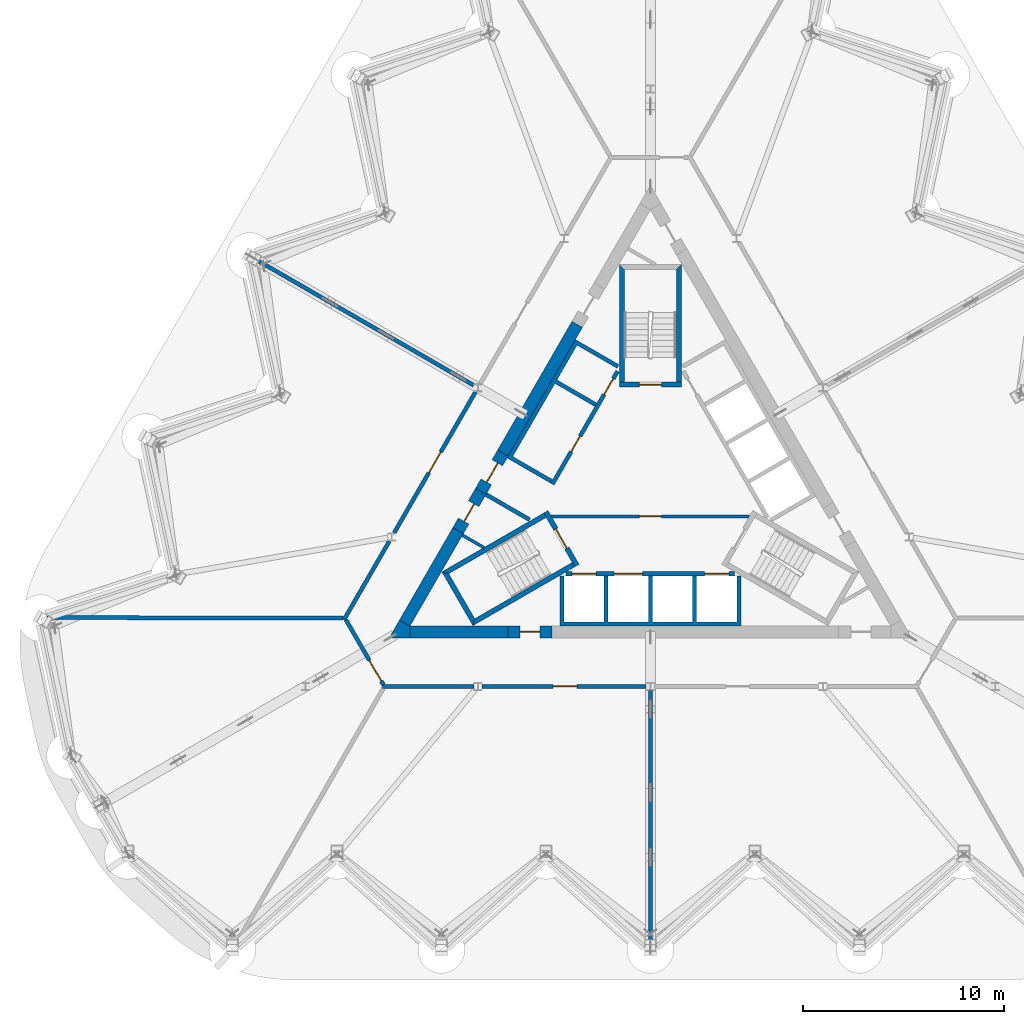
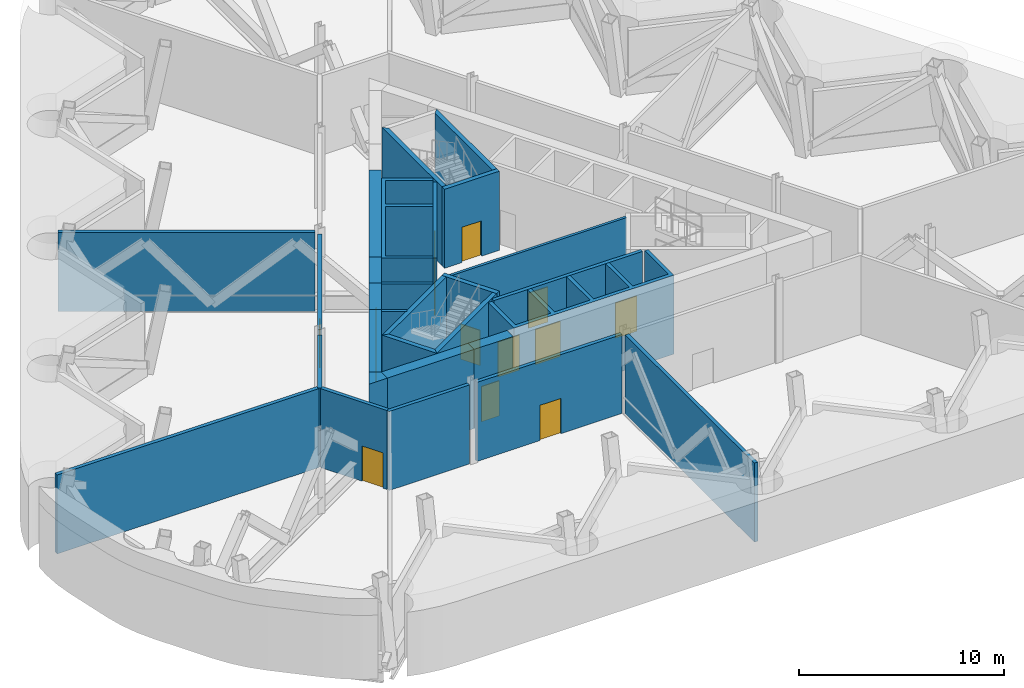
# One storey, part 7 of 16: 29 walls, 14 doors, 14 openings.
"""IFC4 building model written with IfcOpenShell, lengths in metres."""

from ifc_helpers import new_model, si_unit, direction, frame, frame_2d, origin, place, context, subcontext, project, spatial, polyline, rectangle, outline, extrude, material, layer, layer_set, type_object, element, fill, save


model = new_model("IFC4")

# Units and contexts
model_context = context("Model", 3, precision=1e-05, world=origin(), true_north=direction((0.0, 1.0)))
body_context = subcontext(model_context, "Body", "Model", "MODEL_VIEW")
ifc_project = project(units=[si_unit("LENGTHUNIT", "METRE"), si_unit("AREAUNIT", "SQUARE_METRE"), si_unit("VOLUMEUNIT", "CUBIC_METRE"), si_unit("PLANEANGLEUNIT", "RADIAN"), si_unit("MASSUNIT", "GRAM", prefix="KILO")], contexts=[model_context])

# Site, building, storey
site_placement = place(None, origin())
site = spatial("IfcSite", under=ifc_project, at=site_placement, CompositionType="ELEMENT")
building_placement = place(site_placement, origin())
building = spatial("IfcBuilding", under=site, at=building_placement, Name="Cormorant Prow Tower", CompositionType="ELEMENT")
storey_placement = place(building_placement, frame((0.0, 0.0, 356.0)))
storey = spatial("IfcBuildingStorey", under=building, at=storey_placement, Name="L79", CompositionType="ELEMENT", Elevation=356.0)

# Wall, opening, door
ifc_material_1 = material(Name="Gypsum board partition")
ifc_layer_1 = layer(ifc_material_1, 0.14990234375)
ifc_layer_set_1 = layer_set([ifc_layer_1], Name="Gypsum board partition")
wall_type_1 = type_object("IfcWallType", Name="Core partition 150", PredefinedType="PARTITIONING", material=ifc_layer_set_1)
wall_1_placement = place(storey_placement, frame((-4.941162109375, -1.449951171875, 0.0), z_axis=(0.0, 0.0, 1.0), x_axis=(1.0, 0.0, 0.0)))
wall_1 = element("IfcWall", 1, at=wall_1_placement, inside=storey, type_object=wall_type_1, Name="Firefighting lobby partition", PredefinedType="PARTITIONING", context=body_context, shape_type="SweptSolid", body=[
    extrude(rectangle(XDim=9.88232421875, YDim=0.14990234375, at=frame_2d((4.941162109375, 0.0))), origin(), (0.0, 0.0, 1.0), 4.699951171875),
])
opening_1_placement = place(wall_1_placement, frame((4.39111328125, 0.0, 0.0)))
opening_1 = element("IfcOpeningElement", 2, at=opening_1_placement, cuts=wall_1, Name="Opening L79-C07", PredefinedType="OPENING", context=body_context, shape_type="SweptSolid", body=[
    extrude(rectangle(XDim=1.10009765625, YDim=2.10009765625, at=frame_2d((0.550048828125, 1.050048828125))), frame((0.0, 0.0849609375, 0.0), z_axis=(0.0, -1.0, 0.0), x_axis=(1.0, 0.0, 0.0)), (0.0, 0.0, 1.0), 0.169921875),
])
ifc_material_2 = material(Name="Painted steel", Category="steel")
door_type_1 = type_object("IfcDoorType", Name="Firefighting lobby door 1100x2100", OperationType="NOTDEFINED", PredefinedType="DOOR", material=ifc_material_2)
door_1_placement = place(opening_1_placement, origin())
door_1 = element("IfcDoor", 3, at=door_1_placement, inside=storey, type_object=door_type_1, Name="Firefighting lobby door", OperationType="SINGLE_SWING_LEFT", OverallHeight=2.10009765625, OverallWidth=1.10009765625, PredefinedType="DOOR", context=body_context, shape_type="SweptSolid", body=[
    extrude(rectangle(XDim=1.10009765625, YDim=2.10009765625, at=frame_2d((0.550048828125, 1.050048828125))), frame((0.0, 0.02490234375, 0.0), z_axis=(0.0, -1.0, 0.0), x_axis=(1.0, 0.0, 0.0)), (0.0, 0.0, 1.0), 0.050048828125),
])
fill(opening_1, door_1)

# Walls
wall_2_placement = place(storey_placement, frame((-9.349609375, -2.3828125, 0.0), z_axis=(0.0, 0.0, 1.0), x_axis=(0.866057962423, -0.499943602543, 0.0)))
element("IfcWall", 4, at=wall_2_placement, inside=storey, type_object=wall_type_1, Name="Service room partition", PredefinedType="PARTITIONING", context=body_context, shape_type="SweptSolid", body=[
    extrude(rectangle(XDim=1.242431640625, YDim=0.14990234375, at=frame_2d((0.62109375, 0.0))), origin(), (0.0, 0.0, 1.0), 4.699951171875),
])
ifc_material_3 = material(Name="Concrete 8000 psi", Category="concrete")
ifc_layer_2 = layer(ifc_material_3, 0.60009765625)
ifc_layer_set_2 = layer_set([ifc_layer_2], Name="Concrete 8000 psi")
wall_type_2 = type_object("IfcWallType", Name="Core shear wall 600", PredefinedType="SHEAR", material=ifc_layer_set_2)
wall_3_placement = place(storey_placement, frame((-11.960693359375, -7.20556640625, 0.0), z_axis=(0.0, 0.0, 1.0), x_axis=(1.0, 0.0, 0.0)))
element("IfcWall", 5, at=wall_3_placement, inside=storey, type_object=wall_type_2, Name="Core wall", PredefinedType="SHEAR", context=body_context, shape_type="SweptSolid", body=[
    extrude(rectangle(XDim=4.868408203125, YDim=0.60009765625, at=frame_2d((2.43408203125, 0.0))), origin(), (0.0, 0.0, 1.0), 4.699951171875),
])
wall_4_placement = place(storey_placement, frame((-3.639404296875, 8.107421875, 0.0), z_axis=(0.0, 0.0, 1.0), x_axis=(-0.49999180351, -0.866030135978, 0.0)))
element("IfcWall", 6, at=wall_4_placement, inside=storey, type_object=wall_type_2, Name="Core wall", PredefinedType="SHEAR", context=body_context, shape_type="SweptSolid", body=[
    extrude(rectangle(XDim=7.4013671875, YDim=0.60009765625, at=frame_2d((3.70068359375, 0.0))), origin(), (0.0, 0.0, 1.0), 4.699951171875),
])
wall_5_placement = place(storey_placement, frame((-9.561767578125, -2.150390625, 0.0), z_axis=(0.0, 0.0, 1.0), x_axis=(-0.500015214976, -0.866016619236, 0.0)))
element("IfcWall", 7, at=wall_5_placement, inside=storey, type_object=wall_type_2, Name="Core wall", PredefinedType="SHEAR", context=body_context, shape_type="SweptSolid", body=[
    extrude(rectangle(XDim=5.317626953125, YDim=0.60009765625, at=frame_2d((2.65869140625, 0.0))), origin(), (0.0, 0.0, 1.0), 4.699951171875),
])
wall_6_placement = place(storey_placement, origin())
element("IfcWall", 8, at=wall_6_placement, inside=storey, type_object=wall_type_2, Name="Core wall corner", PredefinedType="SHEAR", context=body_context, shape_type="SweptSolid", body=[
    extrude(outline(polyline([(-12.48046875, -6.605712890625), (-11.960693359375, -6.905517578125), (-11.960693359375, -7.505615234375), (-13.0, -7.505615234375), (-12.48046875, -6.605712890625)])), origin(), (0.0, 0.0, 1.0), 4.699951171875),
])

# Wall, opening, door
wall_7_placement = place(storey_placement, frame((-7.09228515625, -7.20556640625, 0.0), z_axis=(0.0, 0.0, 1.0), x_axis=(1.0, 0.0, 0.0)))
wall_7 = element("IfcWall", 9, at=wall_7_placement, inside=storey, type_object=wall_type_2, Name="Core wall door panel", PredefinedType="SHEAR", context=body_context, shape_type="SweptSolid", body=[
    extrude(rectangle(XDim=2.2001953125, YDim=0.60009765625, at=frame_2d((1.10009765625, 0.0))), origin(), (0.0, 0.0, 1.0), 4.699951171875),
])
opening_2_placement = place(wall_7_placement, frame((0.60009765625, 0.0, 0.0)))
opening_2 = element("IfcOpeningElement", 10, at=opening_2_placement, cuts=wall_7, Name="Opening L79-C12", PredefinedType="OPENING", context=body_context, shape_type="SweptSolid", body=[
    extrude(rectangle(XDim=1.0, YDim=2.10009765625, at=frame_2d((0.5, 1.050048828125))), frame((0.0, 0.31005859375, 0.0), z_axis=(0.0, -1.0, 0.0), x_axis=(1.0, 0.0, 0.0)), (0.0, 0.0, 1.0), 0.6201171875),
])
ifc_material_4 = material(Name="Painted steel", Category="steel")
door_type_2 = type_object("IfcDoorType", Name="Service door 1000x2100", OperationType="NOTDEFINED", PredefinedType="DOOR", material=ifc_material_4)
door_2_placement = place(opening_2_placement, origin())
door_2 = element("IfcDoor", 11, at=door_2_placement, inside=storey, type_object=door_type_2, Name="Core door, Plant staff store", OperationType="SINGLE_SWING_LEFT", OverallHeight=2.10009765625, OverallWidth=1.0, PredefinedType="DOOR", context=body_context, shape_type="SweptSolid", body=[
    extrude(rectangle(XDim=1.0, YDim=2.10009765625, at=frame_2d((0.5, 1.050048828125))), frame((0.0, 0.05517578125, 0.0), z_axis=(0.0, -1.0, 0.0), x_axis=(1.0, 0.0, 0.0)), (0.0, 0.0, 1.0), 0.050048828125),
])
fill(opening_2, door_2)

wall_8_placement = place(storey_placement, frame((-8.440185546875, -0.207763671875, 0.0), z_axis=(0.0, 0.0, 1.0), x_axis=(-0.500001951578, -0.866024277037, 0.0)))
wall_8 = element("IfcWall", 12, at=wall_8_placement, inside=storey, type_object=wall_type_2, Name="Core wall door panel", PredefinedType="SHEAR", context=body_context, shape_type="SweptSolid", body=[
    extrude(rectangle(XDim=2.2431640625, YDim=0.60009765625, at=frame_2d((1.12158203125, 0.0))), origin(), (0.0, 0.0, 1.0), 4.699951171875),
])
opening_3_placement = place(wall_8_placement, frame((0.699951171875, 0.0, 0.0)))
opening_3 = element("IfcOpeningElement", 13, at=opening_3_placement, cuts=wall_8, Name="Opening L79-C14", PredefinedType="OPENING", context=body_context, shape_type="SweptSolid", body=[
    extrude(rectangle(XDim=1.0, YDim=2.10009765625, at=frame_2d((0.5, 1.050048828125))), frame((0.0, 0.31005859375, 0.0), z_axis=(0.0, -1.0, 0.0), x_axis=(1.0, 0.0, 0.0)), (0.0, 0.0, 1.0), 0.6201171875),
])
door_3_placement = place(opening_3_placement, origin())
door_3 = element("IfcDoor", 14, at=door_3_placement, inside=storey, type_object=door_type_2, Name="Core door, Mechanical riser room", OperationType="SINGLE_SWING_RIGHT", OverallHeight=2.10009765625, OverallWidth=1.0, PredefinedType="DOOR", context=body_context, shape_type="SweptSolid", body=[
    extrude(rectangle(XDim=1.0, YDim=2.10009765625, at=frame_2d((0.5, 1.050048828125))), frame((0.0, 0.05517578125, 0.0), z_axis=(0.0, -1.0, 0.0), x_axis=(1.0, 0.0, 0.0)), (0.0, 0.0, 1.0), 0.050048828125),
])
fill(opening_3, door_3)

wall_9_placement = place(storey_placement, frame((-7.340087890625, 1.697509765625, 0.0), z_axis=(0.0, 0.0, 1.0), x_axis=(-0.50002983664, -0.866008176907, 0.0)))
wall_9 = element("IfcWall", 15, at=wall_9_placement, inside=storey, type_object=wall_type_2, Name="Core wall door panel", PredefinedType="SHEAR", context=body_context, shape_type="SweptSolid", body=[
    extrude(rectangle(XDim=2.199951171875, YDim=0.60009765625, at=frame_2d((1.10009765625, 0.0))), origin(), (0.0, 0.0, 1.0), 4.699951171875),
])
opening_4_placement = place(wall_9_placement, frame((0.550048828125, 0.0, 0.0)))
opening_4 = element("IfcOpeningElement", 16, at=opening_4_placement, cuts=wall_9, Name="Opening L79-C17", PredefinedType="OPENING", context=body_context, shape_type="SweptSolid", body=[
    extrude(rectangle(XDim=1.10009765625, YDim=2.10009765625, at=frame_2d((0.550048828125, 1.050048828125))), frame((0.0, 0.31005859375, 0.0), z_axis=(0.0, -1.0, 0.0), x_axis=(1.0, 0.0, 0.0)), (0.0, 0.0, 1.0), 0.6201171875),
])
ifc_material_5 = material(Name="Painted steel", Category="steel")
door_type_3 = type_object("IfcDoorType", Name="Core door 1100x2100", OperationType="NOTDEFINED", PredefinedType="DOOR", material=ifc_material_5)
door_4_placement = place(opening_4_placement, origin())
door_4 = element("IfcDoor", 17, at=door_4_placement, inside=storey, type_object=door_type_3, Name="Core door, lift lobby", OperationType="SINGLE_SWING_RIGHT", OverallHeight=2.10009765625, OverallWidth=1.10009765625, PredefinedType="DOOR", context=body_context, shape_type="SweptSolid", body=[
    extrude(rectangle(XDim=1.10009765625, YDim=2.10009765625, at=frame_2d((0.550048828125, 1.050048828125))), frame((0.0, 0.05517578125, 0.0), z_axis=(0.0, -1.0, 0.0), x_axis=(1.0, 0.0, 0.0)), (0.0, 0.0, 1.0), 0.050048828125),
])
fill(opening_4, door_4)

ifc_material_6 = material(Name="Gypsum board corridor wall")
ifc_layer_3 = layer(ifc_material_6, 0.199951171875)
ifc_layer_set_3 = layer_set([ifc_layer_3], Name="Gypsum board corridor wall")
wall_type_3 = type_object("IfcWallType", Name="Corridor wall 200", PredefinedType="PARTITIONING", material=ifc_layer_set_3)
wall_10_placement = place(storey_placement, frame((-8.370849609375, -9.905517578125, 0.0), z_axis=(0.0, 0.0, 1.0), x_axis=(1.0, 0.0, 0.0)))
wall_10 = element("IfcWall", 18, at=wall_10_placement, inside=storey, type_object=wall_type_3, Name="Corridor wall", PredefinedType="PARTITIONING", context=body_context, shape_type="SweptSolid", body=[
    extrude(rectangle(XDim=8.1630859375, YDim=0.199951171875, at=frame_2d((4.08154296875, 0.0))), origin(), (0.0, 0.0, 1.0), 4.699951171875),
])
opening_5_placement = place(wall_10_placement, frame((3.531982421875, 0.0, 0.0)))
opening_5 = element("IfcOpeningElement", 19, at=opening_5_placement, cuts=wall_10, Name="Opening L79-F03", PredefinedType="OPENING", context=body_context, shape_type="SweptSolid", body=[
    extrude(rectangle(XDim=1.199951171875, YDim=2.10009765625, at=frame_2d((0.60009765625, 1.050048828125))), frame((0.0, 0.10986328125, 0.0), z_axis=(0.0, -1.0, 0.0), x_axis=(1.0, 0.0, 0.0)), (0.0, 0.0, 1.0), 0.219970703125),
])
ifc_material_7 = material(Name="Timber door leaf", Category="wood")
door_type_4 = type_object("IfcDoorType", Name="Plant room door 1200x2100", OperationType="NOTDEFINED", PredefinedType="DOOR", material=ifc_material_7)
door_5_placement = place(opening_5_placement, origin())
door_5 = element("IfcDoor", 20, at=door_5_placement, inside=storey, type_object=door_type_4, Name="Chiller plant room door", OperationType="SINGLE_SWING_RIGHT", OverallHeight=2.10009765625, OverallWidth=1.199951171875, PredefinedType="DOOR", context=body_context, shape_type="SweptSolid", body=[
    extrude(rectangle(XDim=1.199951171875, YDim=2.10009765625, at=frame_2d((0.60009765625, 1.050048828125))), frame((0.0, 0.02490234375, 0.0), z_axis=(0.0, -1.0, 0.0), x_axis=(1.0, 0.0, 0.0)), (0.0, 0.0, 1.0), 0.050048828125),
])
fill(opening_5, door_5)

wall_11_placement = place(storey_placement, frame((-12.747802734375, -2.268798828125, 0.0), z_axis=(0.0, 0.0, 1.0), x_axis=(0.499984266882, 0.866034487114, 0.0)))
wall_11 = element("IfcWall", 21, at=wall_11_placement, inside=storey, type_object=wall_type_3, Name="Corridor wall", PredefinedType="PARTITIONING", context=body_context, shape_type="SweptSolid", body=[
    extrude(rectangle(XDim=8.098876953125, YDim=0.199951171875, at=frame_2d((4.04931640625, 0.0))), origin(), (0.0, 0.0, 1.0), 4.699951171875),
])
opening_6_placement = place(wall_11_placement, frame((3.449462890625, 0.0, 0.0)))
opening_6 = element("IfcOpeningElement", 22, at=opening_6_placement, cuts=wall_11, Name="Opening L79-F05", PredefinedType="OPENING", context=body_context, shape_type="SweptSolid", body=[
    extrude(rectangle(XDim=1.199951171875, YDim=2.10009765625, at=frame_2d((0.60009765625, 1.050048828125))), frame((0.0, 0.10986328125, 0.0), z_axis=(0.0, -1.0, 0.0), x_axis=(1.0, 0.0, 0.0)), (0.0, 0.0, 1.0), 0.219970703125),
])
door_6_placement = place(opening_6_placement, origin())
door_6 = element("IfcDoor", 23, at=door_6_placement, inside=storey, type_object=door_type_4, Name="Electrical switch room door", OperationType="SINGLE_SWING_LEFT", OverallHeight=2.10009765625, OverallWidth=1.199951171875, PredefinedType="DOOR", context=body_context, shape_type="SweptSolid", body=[
    extrude(rectangle(XDim=1.199951171875, YDim=2.10009765625, at=frame_2d((0.60009765625, 1.050048828125))), frame((0.0, 0.02490234375, 0.0), z_axis=(0.0, -1.0, 0.0), x_axis=(1.0, 0.0, 0.0)), (0.0, 0.0, 1.0), 0.050048828125),
])
fill(opening_6, door_6)

# Walls
wall_12_placement = place(storey_placement, frame((-13.330810546875, -9.905517578125, 0.0), z_axis=(0.0, 0.0, 1.0), x_axis=(1.0, 0.0, 0.0)))
element("IfcWall", 24, at=wall_12_placement, inside=storey, type_object=wall_type_3, Name="Corridor wall", PredefinedType="PARTITIONING", context=body_context, shape_type="SweptSolid", body=[
    extrude(rectangle(XDim=4.544677734375, YDim=0.199951171875, at=frame_2d((2.2724609375, 0.0))), origin(), (0.0, 0.0, 1.0), 4.699951171875),
])
wall_13_placement = place(storey_placement, frame((-15.243896484375, -6.59228515625, 0.0), z_axis=(0.0, 0.0, 1.0), x_axis=(0.49999094734, 0.866030630277, 0.0)))
element("IfcWall", 25, at=wall_13_placement, inside=storey, type_object=wall_type_3, Name="Corridor wall", PredefinedType="PARTITIONING", context=body_context, shape_type="SweptSolid", body=[
    extrude(rectangle(XDim=4.5126953125, YDim=0.199951171875, at=frame_2d((2.25634765625, 0.0))), origin(), (0.0, 0.0, 1.0), 4.699951171875),
])

# Wall, opening, door
wall_14_placement = place(storey_placement, frame((-15.143798828125, -6.59228515625, 0.0), z_axis=(0.0, 0.0, 1.0), x_axis=(0.499958791762, -0.866049194065, 0.0)))
wall_14 = element("IfcWall", 26, at=wall_14_placement, inside=storey, type_object=wall_type_3, Name="Corridor wall", PredefinedType="PARTITIONING", context=body_context, shape_type="SweptSolid", body=[
    extrude(rectangle(XDim=3.725830078125, YDim=0.199951171875, at=frame_2d((1.86279296875, 0.0))), origin(), (0.0, 0.0, 1.0), 4.699951171875),
])
opening_7_placement = place(wall_14_placement, frame((2.324951171875, 0.0, 0.0)))
opening_7 = element("IfcOpeningElement", 27, at=opening_7_placement, cuts=wall_14, Name="Opening L79-F01", PredefinedType="OPENING", context=body_context, shape_type="SweptSolid", body=[
    extrude(rectangle(XDim=1.199951171875, YDim=2.10009765625, at=frame_2d((0.60009765625, 1.050048828125))), frame((0.0, 0.10986328125, 0.0), z_axis=(0.0, -1.0, 0.0), x_axis=(1.0, 0.0, 0.0)), (0.0, 0.0, 1.0), 0.219970703125),
])
door_7_placement = place(opening_7_placement, origin())
door_7 = element("IfcDoor", 28, at=door_7_placement, inside=storey, type_object=door_type_4, Name="Sprinkler pump room door", OperationType="SINGLE_SWING_RIGHT", OverallHeight=2.10009765625, OverallWidth=1.199951171875, PredefinedType="DOOR", context=body_context, shape_type="SweptSolid", body=[
    extrude(rectangle(XDim=1.199951171875, YDim=2.10009765625, at=frame_2d((0.60009765625, 1.050048828125))), frame((0.0, 0.02490234375, 0.0), z_axis=(0.0, -1.0, 0.0), x_axis=(1.0, 0.0, 0.0)), (0.0, 0.0, 1.0), 0.050048828125),
])
fill(opening_7, door_7)

# Walls
ifc_material_8 = material(Name="Gypsum board demising wall")
ifc_layer_4 = layer(ifc_material_8, 0.199951171875)
ifc_layer_set_4 = layer_set([ifc_layer_4], Name="Gypsum board demising wall")
wall_type_4 = type_object("IfcWallType", Name="Demising wall 200", PredefinedType="PARTITIONING", material=ifc_layer_set_4)
wall_15_placement = place(storey_placement, frame((-30.013671875, -6.481689453125, 0.0), z_axis=(0.0, 0.0, 1.0), x_axis=(0.999998705824, -0.001608834911, 0.0)))
element("IfcWall", 29, at=wall_15_placement, inside=storey, type_object=wall_type_4, Name="Demising wall", PredefinedType="PARTITIONING", context=body_context, shape_type="SweptSolid", body=[
    extrude(rectangle(XDim=14.7197265625, YDim=0.199951171875, at=frame_2d((7.35986328125, 0.0))), origin(), (0.0, 0.0, 1.0), 4.699951171875),
])
wall_16_placement = place(storey_placement, frame((0.0, -22.697998046875, 0.0), z_axis=(0.0, 0.0, 1.0), x_axis=(0.0, 1.0, 0.0)))
element("IfcWall", 30, at=wall_16_placement, inside=storey, type_object=wall_type_4, Name="Demising wall", PredefinedType="PARTITIONING", context=body_context, shape_type="SweptSolid", body=[
    extrude(rectangle(XDim=12.584716796875, YDim=0.199951171875, at=frame_2d((6.29248046875, 0.0))), origin(), (0.0, 0.0, 1.0), 4.699951171875),
])
wall_17_placement = place(storey_placement, frame((-19.615478515625, 11.3251953125, 0.0), z_axis=(0.0, 0.0, 1.0), x_axis=(0.86602139559, -0.500006942333, 0.0)))
element("IfcWall", 31, at=wall_17_placement, inside=storey, type_object=wall_type_4, Name="Demising wall", PredefinedType="PARTITIONING", context=body_context, shape_type="SweptSolid", body=[
    extrude(rectangle(XDim=12.504638671875, YDim=0.199951171875, at=frame_2d((6.25244140625, 0.0))), origin(), (0.0, 0.0, 1.0), 4.699951171875),
])

# Wall, openings, doors
ifc_material_9 = material(Name="Concrete 5000 psi", Category="concrete")
ifc_layer_5 = layer(ifc_material_9, 0.199951171875)
ifc_layer_set_5 = layer_set([ifc_layer_5], Name="Concrete 5000 psi")
wall_type_5 = type_object("IfcWallType", Name="Lift lobby wall 200", PredefinedType="SOLIDWALL", material=ifc_layer_set_5)
wall_18_placement = place(storey_placement, frame((-4.1865234375, -4.300048828125, 0.0), z_axis=(0.0, 0.0, 1.0), x_axis=(1.0, 0.0, 0.0)))
wall_18 = element("IfcWall", 32, at=wall_18_placement, inside=storey, type_object=wall_type_5, Name="Lift lobby wall, S block", PredefinedType="SOLIDWALL", context=body_context, shape_type="SweptSolid", body=[
    extrude(rectangle(XDim=8.373046875, YDim=0.199951171875, at=frame_2d((4.1865234375, 0.0))), origin(), (0.0, 0.0, 1.0), 4.699951171875),
])
opening_8_placement = place(wall_18_placement, frame((0.28662109375, 0.0, 0.0)))
opening_8 = element("IfcOpeningElement", 33, at=opening_8_placement, cuts=wall_18, Name="Opening L79-C01", PredefinedType="OPENING", context=body_context, shape_type="SweptSolid", body=[
    extrude(rectangle(XDim=1.199951171875, YDim=2.10009765625, at=frame_2d((0.60009765625, 1.050048828125))), frame((0.0, 0.10986328125, 0.0), z_axis=(0.0, -1.0, 0.0), x_axis=(1.0, 0.0, 0.0)), (0.0, 0.0, 1.0), 0.219970703125),
])
opening_9_placement = place(wall_18_placement, frame((2.38671875, 0.0, 0.0)))
opening_9 = element("IfcOpeningElement", 34, at=opening_9_placement, cuts=wall_18, Name="Opening L79-C02", PredefinedType="OPENING", context=body_context, shape_type="SweptSolid", body=[
    extrude(rectangle(XDim=1.39990234375, YDim=2.10009765625, at=frame_2d((0.699951171875, 1.050048828125))), frame((0.0, 0.10986328125, 0.0), z_axis=(0.0, -1.0, 0.0), x_axis=(1.0, 0.0, 0.0)), (0.0, 0.0, 1.0), 0.219970703125),
])
opening_10_placement = place(wall_18_placement, frame((6.88671875, 0.0, 0.0)))
opening_10 = element("IfcOpeningElement", 35, at=opening_10_placement, cuts=wall_18, Name="Opening L79-C03", PredefinedType="OPENING", context=body_context, shape_type="SweptSolid", body=[
    extrude(rectangle(XDim=1.199951171875, YDim=2.10009765625, at=frame_2d((0.60009765625, 1.050048828125))), frame((0.0, 0.10986328125, 0.0), z_axis=(0.0, -1.0, 0.0), x_axis=(1.0, 0.0, 0.0)), (0.0, 0.0, 1.0), 0.219970703125),
])
ifc_material_10 = material(Name="Painted steel", Category="steel")
door_type_5 = type_object("IfcDoorType", Name="Firefighting lift landing door 1200x2100", OperationType="SLIDING_TO_LEFT", PredefinedType="DOOR", material=ifc_material_10)
door_8_placement = place(opening_8_placement, origin())
door_8 = element("IfcDoor", 36, at=door_8_placement, inside=storey, type_object=door_type_5, Name="Landing door FL1", OperationType="SLIDING_TO_LEFT", OverallHeight=2.10009765625, OverallWidth=1.199951171875, PredefinedType="DOOR", context=body_context, shape_type="SweptSolid", body=[
    extrude(rectangle(XDim=1.199951171875, YDim=2.10009765625, at=frame_2d((0.60009765625, 1.050048828125))), frame((0.0, 0.02490234375, 0.0), z_axis=(0.0, -1.0, 0.0), x_axis=(1.0, 0.0, 0.0)), (0.0, 0.0, 1.0), 0.050048828125),
])
fill(opening_8, door_8)
door_9_placement = place(opening_10_placement, origin())
door_9 = element("IfcDoor", 37, at=door_9_placement, inside=storey, type_object=door_type_5, Name="Landing door FL2", OperationType="SLIDING_TO_LEFT", OverallHeight=2.10009765625, OverallWidth=1.199951171875, PredefinedType="DOOR", context=body_context, shape_type="SweptSolid", body=[
    extrude(rectangle(XDim=1.199951171875, YDim=2.10009765625, at=frame_2d((0.60009765625, 1.050048828125))), frame((0.0, 0.02490234375, 0.0), z_axis=(0.0, -1.0, 0.0), x_axis=(1.0, 0.0, 0.0)), (0.0, 0.0, 1.0), 0.050048828125),
])
fill(opening_10, door_9)
ifc_material_11 = material(Name="Painted steel", Category="steel")
door_type_6 = type_object("IfcDoorType", Name="Service lift landing door 1400x2100", OperationType="SLIDING_TO_LEFT", PredefinedType="DOOR", material=ifc_material_11)
door_10_placement = place(opening_9_placement, origin())
door_10 = element("IfcDoor", 38, at=door_10_placement, inside=storey, type_object=door_type_6, Name="Landing door SL1", OperationType="SLIDING_TO_LEFT", OverallHeight=2.10009765625, OverallWidth=1.39990234375, PredefinedType="DOOR", context=body_context, shape_type="SweptSolid", body=[
    extrude(rectangle(XDim=1.39990234375, YDim=2.10009765625, at=frame_2d((0.699951171875, 1.050048828125))), frame((0.0, 0.02490234375, 0.0), z_axis=(0.0, -1.0, 0.0), x_axis=(1.0, 0.0, 0.0)), (0.0, 0.0, 1.0), 0.050048828125),
])
fill(opening_9, door_10)

wall_19_placement = place(storey_placement, frame((-1.630615234375, 5.775634765625, 0.0), z_axis=(0.0, 0.0, 1.0), x_axis=(-0.499992876559, -0.866029516466, 0.0)))
wall_19 = element("IfcWall", 39, at=wall_19_placement, inside=storey, type_object=wall_type_5, Name="Lift lobby wall, WNW block", PredefinedType="SOLIDWALL", context=body_context, shape_type="SweptSolid", body=[
    extrude(rectangle(XDim=6.486328125, YDim=0.199951171875, at=frame_2d((3.2431640625, 0.0))), origin(), (0.0, 0.0, 1.0), 4.699951171875),
])
opening_11_placement = place(wall_19_placement, frame((0.4365234375, 0.0, 0.0)))
opening_11 = element("IfcOpeningElement", 40, at=opening_11_placement, cuts=wall_19, Name="Opening L79-C05", PredefinedType="OPENING", context=body_context, shape_type="SweptSolid", body=[
    extrude(rectangle(XDim=0.89990234375, YDim=2.10009765625, at=frame_2d((0.449951171875, 1.050048828125))), frame((0.0, 0.10986328125, 0.0), z_axis=(0.0, -1.0, 0.0), x_axis=(1.0, 0.0, 0.0)), (0.0, 0.0, 1.0), 0.219970703125),
])
opening_12_placement = place(wall_19_placement, frame((3.736572265625, 0.0, 0.0)))
opening_12 = element("IfcOpeningElement", 41, at=opening_12_placement, cuts=wall_19, Name="Opening L79-C06", PredefinedType="OPENING", context=body_context, shape_type="SweptSolid", body=[
    extrude(rectangle(XDim=0.89990234375, YDim=2.10009765625, at=frame_2d((0.449951171875, 1.050048828125))), frame((0.0, 0.10986328125, 0.0), z_axis=(0.0, -1.0, 0.0), x_axis=(1.0, 0.0, 0.0)), (0.0, 0.0, 1.0), 0.219970703125),
])
ifc_material_12 = material(Name="Painted steel", Category="steel")
door_type_7 = type_object("IfcDoorType", Name="Service door 900x2100", OperationType="NOTDEFINED", PredefinedType="DOOR", material=ifc_material_12)
door_11_placement = place(opening_11_placement, origin())
door_11 = element("IfcDoor", 42, at=door_11_placement, inside=storey, type_object=door_type_7, Name="Service door, Telecom plant room", OperationType="SINGLE_SWING_LEFT", OverallHeight=2.10009765625, OverallWidth=0.89990234375, PredefinedType="DOOR", context=body_context, shape_type="SweptSolid", body=[
    extrude(rectangle(XDim=0.89990234375, YDim=2.10009765625, at=frame_2d((0.449951171875, 1.050048828125))), frame((0.0, 0.02490234375, 0.0), z_axis=(0.0, -1.0, 0.0), x_axis=(1.0, 0.0, 0.0)), (0.0, 0.0, 1.0), 0.050048828125),
])
fill(opening_11, door_11)
door_12_placement = place(opening_12_placement, origin())
door_12 = element("IfcDoor", 43, at=door_12_placement, inside=storey, type_object=door_type_7, Name="Service door, Plant maintenance store", OperationType="SINGLE_SWING_LEFT", OverallHeight=2.10009765625, OverallWidth=0.89990234375, PredefinedType="DOOR", context=body_context, shape_type="SweptSolid", body=[
    extrude(rectangle(XDim=0.89990234375, YDim=2.10009765625, at=frame_2d((0.449951171875, 1.050048828125))), frame((0.0, 0.02490234375, 0.0), z_axis=(0.0, -1.0, 0.0), x_axis=(1.0, 0.0, 0.0)), (0.0, 0.0, 1.0), 0.050048828125),
])
fill(opening_12, door_12)

# Walls
ifc_material_13 = material(Name="Concrete 8000 psi", Category="concrete")
ifc_layer_6 = layer(ifc_material_13, 0.199951171875)
ifc_layer_set_6 = layer_set([ifc_layer_6], Name="Concrete 8000 psi")
wall_type_6 = type_object("IfcWallType", Name="Lift shaft wall 200", PredefinedType="SHEAR", material=ifc_layer_set_6)
wall_20_placement = place(storey_placement, origin())
element("IfcWall", 44, at=wall_20_placement, inside=storey, type_object=wall_type_6, Name="Lift shaft walls, S block", PredefinedType="SHEAR", context=body_context, shape_type="SweptSolid", body=[
    extrude(outline(polyline([(4.5, -4.39990234375), (4.5, -6.906005859375), (-4.5, -6.906005859375), (-4.5, -4.39990234375), (-4.300048828125, -4.39990234375), (-4.300048828125, -6.699951171875), (-2.300048828125, -6.699951171875), (-2.300048828125, -4.39990234375), (-2.10009765625, -4.39990234375), (-2.10009765625, -6.699951171875), (-0.10009765625, -6.699951171875), (-0.10009765625, -4.39990234375), (0.10009765625, -4.39990234375), (0.10009765625, -6.699951171875), (2.10009765625, -6.699951171875), (2.10009765625, -4.39990234375), (2.300048828125, -4.39990234375), (2.300048828125, -6.699951171875), (4.300048828125, -6.699951171875), (4.300048828125, -4.39990234375), (4.5, -4.39990234375)])), origin(), (0.0, 0.0, 1.0), 4.699951171875),
])
wall_21_placement = place(storey_placement, origin())
element("IfcWall", 45, at=wall_21_placement, inside=storey, type_object=wall_type_6, Name="Lift shaft walls, WNW block", PredefinedType="SHEAR", context=body_context, shape_type="SweptSolid", body=[
    extrude(outline(polyline([(-6.060546875, -1.697021484375), (-8.230712890625, -0.444091796875), (-8.130859375, -0.27099609375), (-5.96044921875, -1.52392578125), (-6.060546875, -1.697021484375)])), origin(), (0.0, 0.0, 1.0), 4.699951171875),
])
wall_22_placement = place(storey_placement, origin())
element("IfcWall", 46, at=wall_22_placement, inside=storey, type_object=wall_type_6, Name="Lift shaft walls, WNW block", PredefinedType="SHEAR", context=body_context, shape_type="SweptSolid", body=[
    extrude(outline(polyline([(-4.96044921875, 0.2080078125), (-7.130859375, 1.461181640625), (-3.730712890625, 7.35009765625), (-1.560546875, 6.09716796875), (-1.660400390625, 5.923828125), (-3.65234375, 7.073974609375), (-4.65234375, 5.341796875), (-2.660400390625, 4.19189453125), (-2.760498046875, 4.018798828125), (-4.75244140625, 5.168701171875), (-6.852294921875, 1.53125), (-4.860595703125, 0.38134765625), (-4.96044921875, 0.2080078125)])), origin(), (0.0, 0.0, 1.0), 4.699951171875),
])
ifc_material_14 = material(Name="Concrete 8000 psi", Category="concrete")
ifc_layer_7 = layer(ifc_material_14, 0.25)
ifc_layer_set_7 = layer_set([ifc_layer_7], Name="Concrete 8000 psi")
wall_type_7 = type_object("IfcWallType", Name="Stair wall 250", PredefinedType="SHEAR", material=ifc_layer_set_7)
wall_23_placement = place(storey_placement, origin())
element("IfcWall", 47, at=wall_23_placement, inside=storey, type_object=wall_type_7, Name="Stair ST1 enclosure wall (flank)", PredefinedType="SHEAR", context=body_context, shape_type="SweptSolid", body=[
    extrude(outline(polyline([(-5.30712890625, -1.28125), (-10.37353515625, -4.206298828125), (-10.031982421875, -4.2978515625), (-5.18212890625, -1.497802734375), (-5.30712890625, -1.28125)])), origin(), (0.0, 0.0, 1.0), 4.699951171875),
])
wall_24_placement = place(storey_placement, origin())
element("IfcWall", 48, at=wall_24_placement, inside=storey, type_object=wall_type_7, Name="Stair ST1 enclosure wall (end)", PredefinedType="SHEAR", context=body_context, shape_type="SweptSolid", body=[
    extrude(outline(polyline([(-10.37353515625, -4.206298828125), (-8.82958984375, -6.880615234375), (-8.738037109375, -6.5390625), (-10.031982421875, -4.2978515625), (-10.37353515625, -4.206298828125)])), origin(), (0.0, 0.0, 1.0), 4.699951171875),
])
wall_25_placement = place(storey_placement, origin())
element("IfcWall", 49, at=wall_25_placement, inside=storey, type_object=wall_type_7, Name="Stair ST1 enclosure wall (flank)", PredefinedType="SHEAR", context=body_context, shape_type="SweptSolid", body=[
    extrude(outline(polyline([(-8.738037109375, -6.5390625), (-8.82958984375, -6.880615234375), (-3.76318359375, -3.95556640625), (-3.88818359375, -3.739013671875), (-8.738037109375, -6.5390625)])), origin(), (0.0, 0.0, 1.0), 4.699951171875),
])

# Wall, opening, door
wall_26_placement = place(storey_placement, frame((-5.198974609375, -1.21875, 0.0), z_axis=(0.0, 0.0, 1.0), x_axis=(0.499982516597, -0.866035497597, 0.0)))
wall_26 = element("IfcWall", 50, at=wall_26_placement, inside=storey, type_object=wall_type_7, Name="Stair ST1 door wall", PredefinedType="SHEAR", context=body_context, shape_type="SweptSolid", body=[
    extrude(rectangle(XDim=3.087890625, YDim=0.25, at=frame_2d((1.5439453125, 0.0))), origin(), (0.0, 0.0, 1.0), 4.699951171875),
])
opening_13_placement = place(wall_26_placement, frame((0.993896484375, 0.0, 0.0)))
opening_13 = element("IfcOpeningElement", 51, at=opening_13_placement, cuts=wall_26, Name="Opening L79-C08", PredefinedType="OPENING", context=body_context, shape_type="SweptSolid", body=[
    extrude(rectangle(XDim=1.10009765625, YDim=2.10009765625, at=frame_2d((0.550048828125, 1.050048828125))), frame((0.0, 0.135009765625, 0.0), z_axis=(0.0, -1.0, 0.0), x_axis=(1.0, 0.0, 0.0)), (0.0, 0.0, 1.0), 0.27001953125),
])
ifc_material_15 = material(Name="Painted steel", Category="steel")
door_type_8 = type_object("IfcDoorType", Name="Stair door 1100x2100", OperationType="NOTDEFINED", PredefinedType="DOOR", material=ifc_material_15)
door_13_placement = place(opening_13_placement, origin())
door_13 = element("IfcDoor", 52, at=door_13_placement, inside=storey, type_object=door_type_8, Name="Stair ST1 door", OperationType="SINGLE_SWING_LEFT", OverallHeight=2.10009765625, OverallWidth=1.10009765625, PredefinedType="DOOR", context=body_context, shape_type="SweptSolid", body=[
    extrude(rectangle(XDim=1.10009765625, YDim=2.10009765625, at=frame_2d((0.550048828125, 1.050048828125))), frame((0.0, 0.02490234375, 0.0), z_axis=(0.0, -1.0, 0.0), x_axis=(1.0, 0.0, 0.0)), (0.0, 0.0, 1.0), 0.050048828125),
])
fill(opening_13, door_13)

# Walls
wall_27_placement = place(storey_placement, origin())
element("IfcWall", 53, at=wall_27_placement, inside=storey, type_object=wall_type_7, Name="Stair ST3 enclosure wall (flank)", PredefinedType="SHEAR", context=body_context, shape_type="SweptSolid", body=[
    extrude(outline(polyline([(1.5439453125, 5.23681640625), (1.5439453125, 11.0869140625), (1.2939453125, 10.8369140625), (1.2939453125, 5.23681640625), (1.5439453125, 5.23681640625)])), origin(), (0.0, 0.0, 1.0), 4.699951171875),
])
wall_28_placement = place(storey_placement, origin())
element("IfcWall", 54, at=wall_28_placement, inside=storey, type_object=wall_type_7, Name="Stair ST3 enclosure wall (flank)", PredefinedType="SHEAR", context=body_context, shape_type="SweptSolid", body=[
    extrude(outline(polyline([(-1.2939453125, 10.8369140625), (-1.5439453125, 11.0869140625), (-1.5439453125, 5.23681640625), (-1.2939453125, 5.23681640625), (-1.2939453125, 10.8369140625)])), origin(), (0.0, 0.0, 1.0), 4.699951171875),
])

# Wall, opening, door
wall_29_placement = place(storey_placement, frame((1.5439453125, 5.11181640625, 0.0), z_axis=(0.0, 0.0, 1.0), x_axis=(-1.0, 0.0, 0.0)))
wall_29 = element("IfcWall", 55, at=wall_29_placement, inside=storey, type_object=wall_type_7, Name="Stair ST3 door wall", PredefinedType="SHEAR", context=body_context, shape_type="SweptSolid", body=[
    extrude(rectangle(XDim=3.087890625, YDim=0.25, at=frame_2d((1.5439453125, 0.0))), origin(), (0.0, 0.0, 1.0), 4.699951171875),
])
opening_14_placement = place(wall_29_placement, frame((0.993896484375, 0.0, 0.0)))
opening_14 = element("IfcOpeningElement", 56, at=opening_14_placement, cuts=wall_29, Name="Opening L79-C10", PredefinedType="OPENING", context=body_context, shape_type="SweptSolid", body=[
    extrude(rectangle(XDim=1.10009765625, YDim=2.10009765625, at=frame_2d((0.550048828125, 1.050048828125))), frame((0.0, 0.135009765625, 0.0), z_axis=(0.0, -1.0, 0.0), x_axis=(1.0, 0.0, 0.0)), (0.0, 0.0, 1.0), 0.27001953125),
])
door_14_placement = place(opening_14_placement, origin())
door_14 = element("IfcDoor", 57, at=door_14_placement, inside=storey, type_object=door_type_8, Name="Stair ST3 door", OperationType="SINGLE_SWING_LEFT", OverallHeight=2.10009765625, OverallWidth=1.10009765625, PredefinedType="DOOR", context=body_context, shape_type="SweptSolid", body=[
    extrude(rectangle(XDim=1.10009765625, YDim=2.10009765625, at=frame_2d((0.550048828125, 1.050048828125))), frame((0.0, 0.02490234375, 0.0), z_axis=(0.0, -1.0, 0.0), x_axis=(1.0, 0.0, 0.0)), (0.0, 0.0, 1.0), 0.050048828125),
])
fill(opening_14, door_14)

save(model, "model.ifc")
